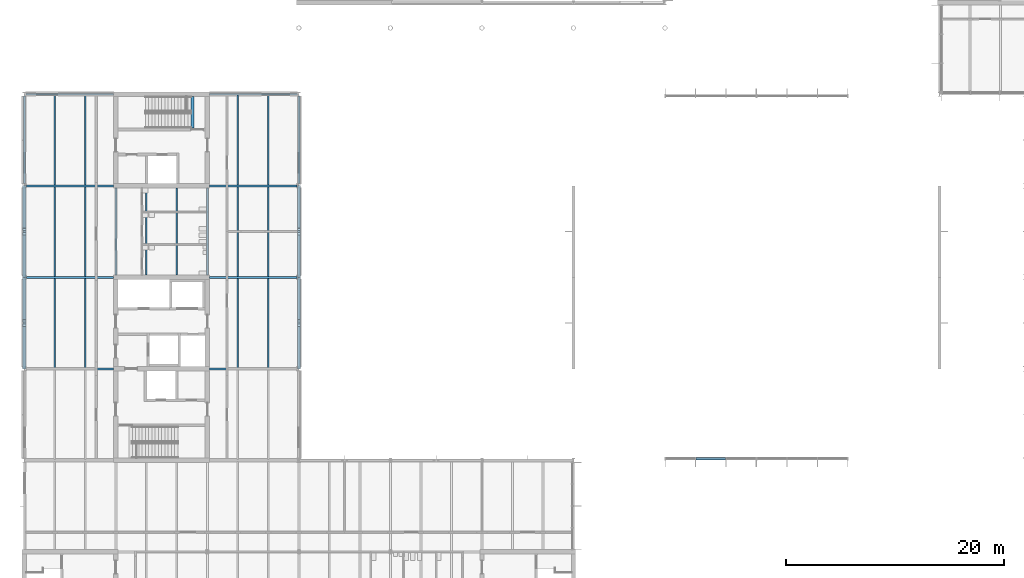
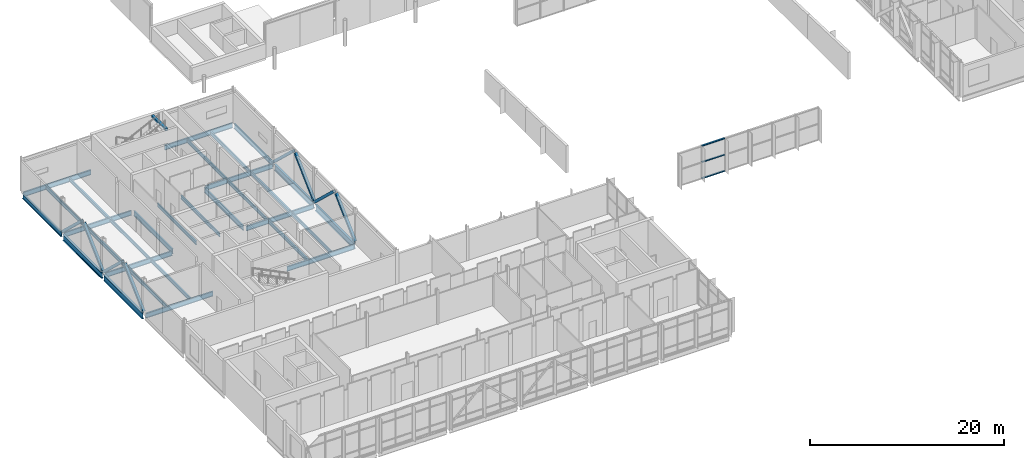
# One storey, part 16 of 72: 31 beams, 11 members, 1 element without a shape of its own.
"""IFC4 building model written with IfcOpenShell, lengths in metres."""

from ifc_helpers import new_model, si_unit, direction, frame, origin, origin_2d, place, context, subcontext, project, spatial, rectangle, hollow_rectangle, i_section, extrude, material, material_profile, profile_set, type_object, element, aggregate, save


model = new_model("IFC4")

# Units and contexts
model_context = context("Model", 3, precision=1e-05, world=origin(), true_north=direction((0.0, 1.0)))
body_context = subcontext(model_context, "Body", "Model", "MODEL_VIEW")
ifc_project = project(units=[si_unit("LENGTHUNIT", "METRE"), si_unit("AREAUNIT", "SQUARE_METRE"), si_unit("VOLUMEUNIT", "CUBIC_METRE"), si_unit("PLANEANGLEUNIT", "RADIAN"), si_unit("MASSUNIT", "GRAM", prefix="KILO")], contexts=[model_context])

# Site, building, storey
site_placement = place(None, origin())
site = spatial("IfcSite", under=ifc_project, at=site_placement, CompositionType="ELEMENT")
building_placement = place(site_placement, origin())
building = spatial("IfcBuilding", under=site, at=building_placement, Name="Hlaing Beacon Police Headquarters", CompositionType="ELEMENT")
storey_placement = place(building_placement, frame((0.0, 0.0, 14.39990234375)))
storey = spatial("IfcBuildingStorey", under=building, at=storey_placement, Name="L03", CompositionType="ELEMENT", Elevation=14.39990234375)

# Members
ifc_material_1 = material(Name="Steel ASTM A500 Grade C", Category="steel")
ifc_material_profile_1 = material_profile(ifc_material_1, hollow_rectangle(XDim=0.3046875, YDim=0.3046875, WallThickness=0.0126953125, at=origin_2d()), Name="HSS12x12x1/2")
ifc_profile_set_1 = profile_set([ifc_material_profile_1], Name="Steel ASTM A500 Grade C")
member_type_1 = type_object("IfcMemberType", Name="Chevron brace HSS12x12x1/2", PredefinedType="BRACE", material=ifc_profile_set_1)
member_1_placement = place(storey_placement, frame((8.39990234375, 42.0810546875, 0.111083984375), z_axis=(0.0, 0.726656515728, 0.687000952074), x_axis=(-1.0, 0.0, 0.0)))
element("IfcMember", 1, at=member_1_placement, inside=storey, type_object=member_type_1, Name="STR-BR-L03-B6a", PredefinedType="BRACE", context=body_context, shape_type="SweptSolid", body=[
    extrude(hollow_rectangle(XDim=0.3046875, YDim=0.3046875, WallThickness=0.0126953125, at=origin_2d()), origin(), (0.0, 0.0, 1.0), 5.39306640625),
])
member_2_placement = place(storey_placement, frame((8.39990234375, 50.319091796875, 0.111083984375), z_axis=(0.0, -0.726677880254, 0.686978353625), x_axis=(1.0, 0.0, 0.0)))
element("IfcMember", 2, at=member_2_placement, inside=storey, type_object=member_type_1, Name="STR-BR-L03-B6b", PredefinedType="BRACE", context=body_context, shape_type="SweptSolid", body=[
    extrude(hollow_rectangle(XDim=0.3046875, YDim=0.3046875, WallThickness=0.0126953125, at=origin_2d()), origin(), (0.0, 0.0, 1.0), 5.393310546875),
])
for number, where, z_axis, x_axis, name in (
    (3, (8.39990234375, 50.48095703125, 0.111083984375), (0.0, 0.726656515728, 0.687000952074), (-1.0, 0.0, 0.0), "STR-BR-L03-B7a"),
    (4, (8.39990234375, 58.718994140625, 0.111083984375), (0.0, -0.726656515728, 0.687000952074), (1.0, 0.0, 0.0), "STR-BR-L03-B7b"),
    (5, (33.60009765625, 42.0810546875, 0.111083984375), (0.0, 0.726656515728, 0.687000952074), (-1.0, 0.0, 0.0), "STR-BR-L03-E6a"),
):
    element("IfcMember", number, at=place(storey_placement, frame(where, z_axis=z_axis, x_axis=x_axis)), inside=storey, type_object=member_type_1, Name=name, PredefinedType="BRACE", context=body_context, shape_type="SweptSolid", body=[
        extrude(hollow_rectangle(XDim=0.3046875, YDim=0.3046875, WallThickness=0.0126953125, at=origin_2d()), origin(), (0.0, 0.0, 1.0), 5.39306640625),
    ])
member_3_placement = place(storey_placement, frame((33.60009765625, 50.319091796875, 0.111083984375), z_axis=(0.0, -0.726677880254, 0.686978353625), x_axis=(1.0, 0.0, 0.0)))
element("IfcMember", 6, at=member_3_placement, inside=storey, type_object=member_type_1, Name="STR-BR-L03-E6b", PredefinedType="BRACE", context=body_context, shape_type="SweptSolid", body=[
    extrude(hollow_rectangle(XDim=0.3046875, YDim=0.3046875, WallThickness=0.0126953125, at=origin_2d()), origin(), (0.0, 0.0, 1.0), 5.393310546875),
])
for number, where, z_axis, x_axis, name in (
    (7, (33.60009765625, 50.48095703125, 0.111083984375), (0.0, 0.726656515728, 0.687000952074), (-1.0, 0.0, 0.0), "STR-BR-L03-E7a"),
    (8, (33.60009765625, 58.718994140625, 0.111083984375), (0.0, -0.726656515728, 0.687000952074), (1.0, 0.0, 0.0), "STR-BR-L03-E7b"),
):
    element("IfcMember", number, at=place(storey_placement, frame(where, z_axis=z_axis, x_axis=x_axis)), inside=storey, type_object=member_type_1, Name=name, PredefinedType="BRACE", context=body_context, shape_type="SweptSolid", body=[
        extrude(hollow_rectangle(XDim=0.3046875, YDim=0.3046875, WallThickness=0.0126953125, at=origin_2d()), origin(), (0.0, 0.0, 1.0), 5.39306640625),
    ])

# Beams
ifc_material_2 = material(Name="Steel ASTM A992 Grade 50", Category="steel")
ifc_material_profile_2 = material_profile(ifc_material_2, i_section(OverallWidth=0.177978515625, OverallDepth=0.599365234375, WebThickness=0.010009765625, FlangeThickness=0.012939453125, FilletRadius=0.012939453125, at=origin_2d()), Name="W24x55")
ifc_profile_set_2 = profile_set([ifc_material_profile_2], Name="Steel ASTM A992 Grade 50")
beam_type_1 = type_object("IfcBeamType", Name="Girder W24x55", PredefinedType="BEAM", material=ifc_profile_set_2)
for number, where, z_axis, x_axis, name in (
    (9, (8.5869140625, 42.0, -0.4296875), (1.0, 0.0, 0.0), (0.0, 1.0, 0.0), "STR-BM-L03-GX-B6-C6"),
    (10, (25.39990234375, 42.0, -0.4296875), (1.0, 0.0, 0.0), (0.0, 1.0, 0.0), "STR-BM-L03-GX-D6-E6"),
    (11, (8.5869140625, 50.39990234375, -0.4296875), (1.0, 0.0, 0.0), (0.0, 1.0, 0.0), "STR-BM-L03-GX-B7-C7"),
    (12, (25.39990234375, 50.39990234375, -0.4296875), (1.0, 0.0, 0.0), (0.0, 1.0, 0.0), "STR-BM-L03-GX-D7-E7"),
    (13, (8.5869140625, 58.800048828125, -0.4296875), (1.0, 0.0, 0.0), (0.0, 1.0, 0.0), "STR-BM-L03-GX-B8-C8"),
    (14, (25.39990234375, 58.800048828125, -0.4296875), (1.0, 0.0, 0.0), (0.0, 1.0, 0.0), "STR-BM-L03-GX-D8-E8"),
):
    element("IfcBeam", number, at=place(storey_placement, frame(where, z_axis=z_axis, x_axis=x_axis)), inside=storey, type_object=beam_type_1, Name=name, PredefinedType="BEAM", context=body_context, shape_type="SweptSolid", body=[
        extrude(i_section(OverallWidth=0.177978515625, OverallDepth=0.599365234375, WebThickness=0.010009765625, FlangeThickness=0.012939453125, FilletRadius=0.012939453125, at=origin_2d()), origin(), (0.0, 0.0, 1.0), 8.01318359375),
    ])
for number, where, z_axis, x_axis, name in (
    (15, (8.528076171875, 67.199951171875, -0.4296875), (1.0, 0.0, 0.0), (0.0, 1.0, 0.0), "STR-BM-L03-GX-B9-C9"),
    (16, (25.39990234375, 67.199951171875, -0.4296875), (1.0, 0.0, 0.0), (0.0, 1.0, 0.0), "STR-BM-L03-GX-D9-E9"),
):
    element("IfcBeam", number, at=place(storey_placement, frame(where, z_axis=z_axis, x_axis=x_axis)), inside=storey, type_object=beam_type_1, Name=name, PredefinedType="BEAM", context=body_context, shape_type="SweptSolid", body=[
        extrude(i_section(OverallWidth=0.177978515625, OverallDepth=0.599365234375, WebThickness=0.010009765625, FlangeThickness=0.012939453125, FilletRadius=0.012939453125, at=origin_2d()), origin(), (0.0, 0.0, 1.0), 8.072021484375),
    ])
beam_1_placement = place(storey_placement, frame((8.39990234375, 58.987060546875, -0.4296875), z_axis=(0.0, 1.0, 0.0), x_axis=(-1.0, 0.0, 0.0)))
element("IfcBeam", 17, at=beam_1_placement, inside=storey, type_object=beam_type_1, Name="STR-BM-L03-GY-B8-B9", PredefinedType="BEAM", context=body_context, shape_type="SweptSolid", body=[
    extrude(i_section(OverallWidth=0.177978515625, OverallDepth=0.599365234375, WebThickness=0.010009765625, FlangeThickness=0.012939453125, FilletRadius=0.012939453125, at=origin_2d()), origin(), (0.0, 0.0, 1.0), 8.032958984375),
])
for number, where, z_axis, x_axis, name in (
    (18, (16.800048828125, 50.60009765625, -0.4296875), (0.0, 1.0, 0.0), (-1.0, 0.0, 0.0), "STR-BM-L03-GY-C7-C8"),
    (19, (25.199951171875, 50.60009765625, -0.4296875), (0.0, 1.0, 0.0), (-1.0, 0.0, 0.0), "STR-BM-L03-GY-D7-D8"),
):
    element("IfcBeam", number, at=place(storey_placement, frame(where, z_axis=z_axis, x_axis=x_axis)), inside=storey, type_object=beam_type_1, Name=name, PredefinedType="BEAM", context=body_context, shape_type="SweptSolid", body=[
        extrude(i_section(OverallWidth=0.177978515625, OverallDepth=0.599365234375, WebThickness=0.010009765625, FlangeThickness=0.012939453125, FilletRadius=0.012939453125, at=origin_2d()), origin(), (0.0, 0.0, 1.0), 8.0),
    ])
beam_2_placement = place(storey_placement, frame((33.60009765625, 58.987060546875, -0.4296875), z_axis=(0.0, 1.0, 0.0), x_axis=(-1.0, 0.0, 0.0)))
element("IfcBeam", 20, at=beam_2_placement, inside=storey, type_object=beam_type_1, Name="STR-BM-L03-GY-E8-E9", PredefinedType="BEAM", context=body_context, shape_type="SweptSolid", body=[
    extrude(i_section(OverallWidth=0.177978515625, OverallDepth=0.599365234375, WebThickness=0.010009765625, FlangeThickness=0.012939453125, FilletRadius=0.012939453125, at=origin_2d()), origin(), (0.0, 0.0, 1.0), 8.032958984375),
])
ifc_material_3 = material(Name="Steel ASTM A992 Grade 50", Category="steel")
ifc_material_profile_3 = material_profile(ifc_material_3, i_section(OverallWidth=0.2666015625, OverallDepth=0.7568359375, WebThickness=0.013916015625, FlangeThickness=0.019287109375, FilletRadius=0.0166015625, at=origin_2d()), Name="W30x108")
ifc_profile_set_3 = profile_set([ifc_material_profile_3], Name="Steel ASTM A992 Grade 50")
beam_type_2 = type_object("IfcBeamType", Name="Girder W30x108", PredefinedType="BEAM", material=ifc_profile_set_3)
beam_3_placement = place(storey_placement, frame((8.39990234375, 42.18701171875, -0.50830078125), z_axis=(0.0, 1.0, 0.0), x_axis=(-1.0, 0.0, 0.0)))
element("IfcBeam", 21, at=beam_3_placement, inside=storey, type_object=beam_type_2, Name="STR-BM-L03-GY-B6-B7", PredefinedType="BEAM", context=body_context, shape_type="SweptSolid", body=[
    extrude(i_section(OverallWidth=0.2666015625, OverallDepth=0.7568359375, WebThickness=0.013916015625, FlangeThickness=0.019287109375, FilletRadius=0.0166015625, at=origin_2d()), origin(), (0.0, 0.0, 1.0), 8.02587890625),
])
beam_4_placement = place(storey_placement, frame((8.39990234375, 50.5869140625, -0.50830078125), z_axis=(0.0, 1.0, 0.0), x_axis=(-1.0, 0.0, 0.0)))
element("IfcBeam", 22, at=beam_4_placement, inside=storey, type_object=beam_type_2, Name="STR-BM-L03-GY-B7-B8", PredefinedType="BEAM", context=body_context, shape_type="SweptSolid", body=[
    extrude(i_section(OverallWidth=0.2666015625, OverallDepth=0.7568359375, WebThickness=0.013916015625, FlangeThickness=0.019287109375, FilletRadius=0.0166015625, at=origin_2d()), origin(), (0.0, 0.0, 1.0), 8.026123046875),
])
beam_5_placement = place(storey_placement, frame((33.60009765625, 42.18701171875, -0.50830078125), z_axis=(0.0, 1.0, 0.0), x_axis=(-1.0, 0.0, 0.0)))
element("IfcBeam", 23, at=beam_5_placement, inside=storey, type_object=beam_type_2, Name="STR-BM-L03-GY-E6-E7", PredefinedType="BEAM", context=body_context, shape_type="SweptSolid", body=[
    extrude(i_section(OverallWidth=0.2666015625, OverallDepth=0.7568359375, WebThickness=0.013916015625, FlangeThickness=0.019287109375, FilletRadius=0.0166015625, at=origin_2d()), origin(), (0.0, 0.0, 1.0), 8.02587890625),
])
beam_6_placement = place(storey_placement, frame((33.60009765625, 50.5869140625, -0.50830078125), z_axis=(0.0, 1.0, 0.0), x_axis=(-1.0, 0.0, 0.0)))
element("IfcBeam", 24, at=beam_6_placement, inside=storey, type_object=beam_type_2, Name="STR-BM-L03-GY-E7-E8", PredefinedType="BEAM", context=body_context, shape_type="SweptSolid", body=[
    extrude(i_section(OverallWidth=0.2666015625, OverallDepth=0.7568359375, WebThickness=0.013916015625, FlangeThickness=0.019287109375, FilletRadius=0.0166015625, at=origin_2d()), origin(), (0.0, 0.0, 1.0), 8.026123046875),
])
ifc_material_4 = material(Name="Steel ASTM A992 Grade 50", Category="steel")
ifc_material_profile_4 = material_profile(ifc_material_4, i_section(OverallWidth=0.15234375, OverallDepth=0.449462890625, WebThickness=0.007568359375, FlangeThickness=0.0107421875, FilletRadius=0.01025390625, at=origin_2d()), Name="W18x35")
ifc_profile_set_4 = profile_set([ifc_material_profile_4], Name="Steel ASTM A992 Grade 50")
beam_type_3 = type_object("IfcBeamType", Name="Secondary beam W18x35", PredefinedType="BEAM", material=ifc_profile_set_4)
for number, where, z_axis, x_axis, name in (
    (25, (11.199951171875, 42.089111328125, -0.354736328125), (0.0, 1.0, 0.0), (-1.0, 0.0, 0.0), "STR-BM-L03-SB-B6-y1"),
    (26, (14.0, 42.089111328125, -0.354736328125), (0.0, 1.0, 0.0), (-1.0, 0.0, 0.0), "STR-BM-L03-SB-B6-y2"),
    (27, (11.199951171875, 50.489013671875, -0.354736328125), (0.0, 1.0, 0.0), (-1.0, 0.0, 0.0), "STR-BM-L03-SB-B7-y1"),
    (28, (14.0, 50.489013671875, -0.354736328125), (0.0, 1.0, 0.0), (-1.0, 0.0, 0.0), "STR-BM-L03-SB-B7-y2"),
):
    element("IfcBeam", number, at=place(storey_placement, frame(where, z_axis=z_axis, x_axis=x_axis)), inside=storey, type_object=beam_type_3, Name=name, PredefinedType="BEAM", context=body_context, shape_type="SweptSolid", body=[
        extrude(i_section(OverallWidth=0.15234375, OverallDepth=0.449462890625, WebThickness=0.007568359375, FlangeThickness=0.0107421875, FilletRadius=0.01025390625, at=origin_2d()), origin(), (0.0, 0.0, 1.0), 8.221923828125),
    ])
for number, where, z_axis, x_axis, name in (
    (29, (11.199951171875, 58.888916015625, -0.354736328125), (0.0, 1.0, 0.0), (-1.0, 0.0, 0.0), "STR-BM-L03-SB-B8-y1"),
    (30, (14.0, 58.888916015625, -0.354736328125), (0.0, 1.0, 0.0), (-1.0, 0.0, 0.0), "STR-BM-L03-SB-B8-y2"),
):
    element("IfcBeam", number, at=place(storey_placement, frame(where, z_axis=z_axis, x_axis=x_axis)), inside=storey, type_object=beam_type_3, Name=name, PredefinedType="BEAM", context=body_context, shape_type="SweptSolid", body=[
        extrude(i_section(OverallWidth=0.15234375, OverallDepth=0.449462890625, WebThickness=0.007568359375, FlangeThickness=0.0107421875, FilletRadius=0.01025390625, at=origin_2d()), origin(), (0.0, 0.0, 1.0), 8.22216796875),
    ])
for number, where, z_axis, x_axis, name in (
    (31, (19.60009765625, 50.60009765625, -0.354736328125), (0.0, 1.0, 0.0), (-1.0, 0.0, 0.0), "STR-BM-L03-SB-C7-y1"),
    (32, (22.39990234375, 50.60009765625, -0.354736328125), (0.0, 1.0, 0.0), (-1.0, 0.0, 0.0), "STR-BM-L03-SB-C7-y2"),
):
    element("IfcBeam", number, at=place(storey_placement, frame(where, z_axis=z_axis, x_axis=x_axis)), inside=storey, type_object=beam_type_3, Name=name, PredefinedType="BEAM", context=body_context, shape_type="SweptSolid", body=[
        extrude(i_section(OverallWidth=0.15234375, OverallDepth=0.449462890625, WebThickness=0.007568359375, FlangeThickness=0.0107421875, FilletRadius=0.01025390625, at=origin_2d()), origin(), (0.0, 0.0, 1.0), 8.0),
    ])
for number, where, z_axis, x_axis, name in (
    (33, (28.0, 42.089111328125, -0.354736328125), (0.0, 1.0, 0.0), (-1.0, 0.0, 0.0), "STR-BM-L03-SB-D6-y1"),
    (34, (30.800048828125, 42.089111328125, -0.354736328125), (0.0, 1.0, 0.0), (-1.0, 0.0, 0.0), "STR-BM-L03-SB-D6-y2"),
    (35, (28.0, 50.489013671875, -0.354736328125), (0.0, 1.0, 0.0), (-1.0, 0.0, 0.0), "STR-BM-L03-SB-D7-y1"),
    (36, (30.800048828125, 50.489013671875, -0.354736328125), (0.0, 1.0, 0.0), (-1.0, 0.0, 0.0), "STR-BM-L03-SB-D7-y2"),
):
    element("IfcBeam", number, at=place(storey_placement, frame(where, z_axis=z_axis, x_axis=x_axis)), inside=storey, type_object=beam_type_3, Name=name, PredefinedType="BEAM", context=body_context, shape_type="SweptSolid", body=[
        extrude(i_section(OverallWidth=0.15234375, OverallDepth=0.449462890625, WebThickness=0.007568359375, FlangeThickness=0.0107421875, FilletRadius=0.01025390625, at=origin_2d()), origin(), (0.0, 0.0, 1.0), 8.221923828125),
    ])
for number, where, z_axis, x_axis, name in (
    (37, (28.0, 58.888916015625, -0.354736328125), (0.0, 1.0, 0.0), (-1.0, 0.0, 0.0), "STR-BM-L03-SB-D8-y1"),
    (38, (30.800048828125, 58.888916015625, -0.354736328125), (0.0, 1.0, 0.0), (-1.0, 0.0, 0.0), "STR-BM-L03-SB-D8-y2"),
):
    element("IfcBeam", number, at=place(storey_placement, frame(where, z_axis=z_axis, x_axis=x_axis)), inside=storey, type_object=beam_type_3, Name=name, PredefinedType="BEAM", context=body_context, shape_type="SweptSolid", body=[
        extrude(i_section(OverallWidth=0.15234375, OverallDepth=0.449462890625, WebThickness=0.007568359375, FlangeThickness=0.0107421875, FilletRadius=0.01025390625, at=origin_2d()), origin(), (0.0, 0.0, 1.0), 8.22216796875),
    ])
ifc_material_5 = material(Name="Concrete C40/50", Category="concrete")
ifc_material_profile_5 = material_profile(ifc_material_5, rectangle(XDim=0.300048828125, YDim=0.25, at=origin_2d()), Name="Stair arrival beam 300x250")
ifc_profile_set_5 = profile_set([ifc_material_profile_5], Name="Concrete C40/50")
beam_type_4 = type_object("IfcBeamType", Name="Stair arrival beam 300x250", PredefinedType="BEAM", material=ifc_profile_set_5)
beam_7_placement = place(storey_placement, frame((23.840087890625, 67.0, 4.2451171875), z_axis=(0.0, -1.0, 0.0), x_axis=(1.0, 0.0, 0.0)))
element("IfcBeam", 39, at=beam_7_placement, inside=storey, type_object=beam_type_4, Name="Stair arrival beam ST-P", PredefinedType="BEAM", context=body_context, shape_type="SweptSolid", body=[
    extrude(rectangle(XDim=0.300048828125, YDim=0.25, at=origin_2d()), origin(), (0.0, 0.0, 1.0), 2.89990234375),
])

# Curtain wall, members
ifc_material_6 = material(Name="Aluminium frame with solar control glazing", Category="aluminium")
curtain_wall_type = type_object("IfcCurtainWallType", Name="Structural glazed gable wall 8.40 x 4.20", PredefinedType="NOTDEFINED", material=ifc_material_6)
curtain_wall_placement = place(storey_placement, origin())
curtain_wall = element("IfcCurtainWall", 40, at=curtain_wall_placement, inside=storey, type_object=curtain_wall_type, Name="ENV-CW-L03-S003", PredefinedType="NOTDEFINED")
ifc_material_7 = material(Name="Aluminium", Category="aluminium")
ifc_material_profile_6 = material_profile(ifc_material_7, rectangle(XDim=0.199951171875, YDim=0.10009765625, at=origin_2d()), Name="Transom 200x100")
ifc_profile_set_6 = profile_set([ifc_material_profile_6], Name="Aluminium")
member_type_2 = type_object("IfcMemberType", Name="Transom 200x100", PredefinedType="USERDEFINED", material=ifc_profile_set_6)
member_4_placement = place(storey_placement, frame((70.0400390625, 33.75, 0.35498046875), z_axis=(1.0, 0.0, 0.0), x_axis=(0.0, 1.0, 0.0)))
member_4 = element("IfcMember", 41, at=member_4_placement, type_object=member_type_2, Name="CW-L03-S003 transom 2.1", ObjectType="TRANSOM", PredefinedType="USERDEFINED", context=body_context, shape_type="SweptSolid", body=[
    extrude(rectangle(XDim=0.199951171875, YDim=0.10009765625, at=origin_2d()), origin(), (0.0, 0.0, 1.0), 2.719970703125),
])
member_5_placement = place(storey_placement, frame((70.0400390625, 33.75, 2.40283203125), z_axis=(1.0, 0.0, 0.0), x_axis=(0.0, 1.0, 0.0)))
member_5 = element("IfcMember", 42, at=member_5_placement, type_object=member_type_2, Name="CW-L03-S003 transom 2.2", ObjectType="TRANSOM", PredefinedType="USERDEFINED", context=body_context, shape_type="SweptSolid", body=[
    extrude(rectangle(XDim=0.199951171875, YDim=0.10009765625, at=origin_2d()), origin(), (0.0, 0.0, 1.0), 2.719970703125),
])
member_6_placement = place(storey_placement, frame((70.0400390625, 33.75, 4.4501953125), z_axis=(1.0, 0.0, 0.0), x_axis=(0.0, 1.0, 0.0)))
member_6 = element("IfcMember", 43, at=member_6_placement, type_object=member_type_2, Name="CW-L03-S003 transom 2.3", ObjectType="TRANSOM", PredefinedType="USERDEFINED", context=body_context, shape_type="SweptSolid", body=[
    extrude(rectangle(XDim=0.199951171875, YDim=0.10009765625, at=origin_2d()), origin(), (0.0, 0.0, 1.0), 2.719970703125),
])
aggregate(curtain_wall, [member_4, member_5, member_6])

save(model, "model.ifc")
